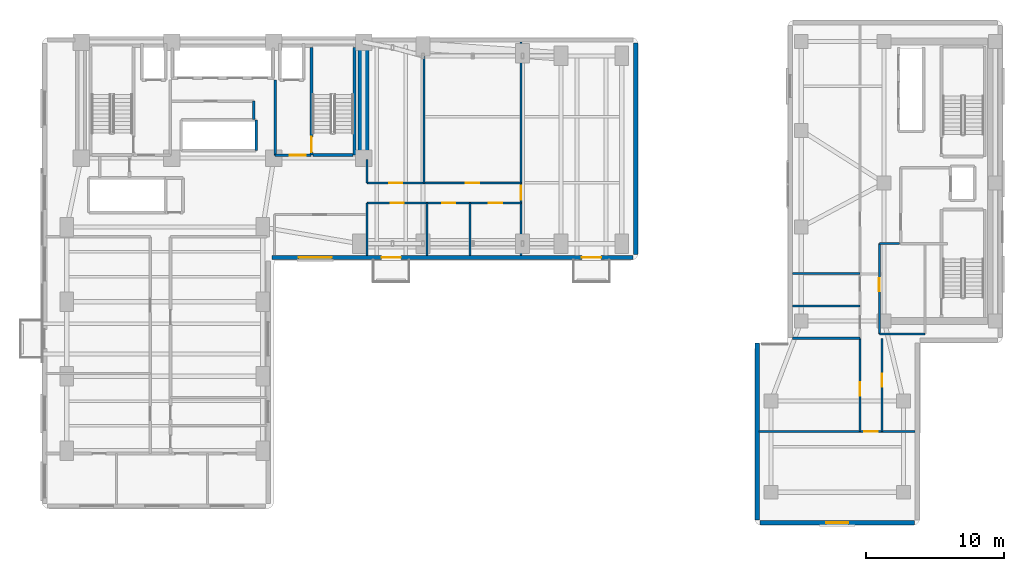
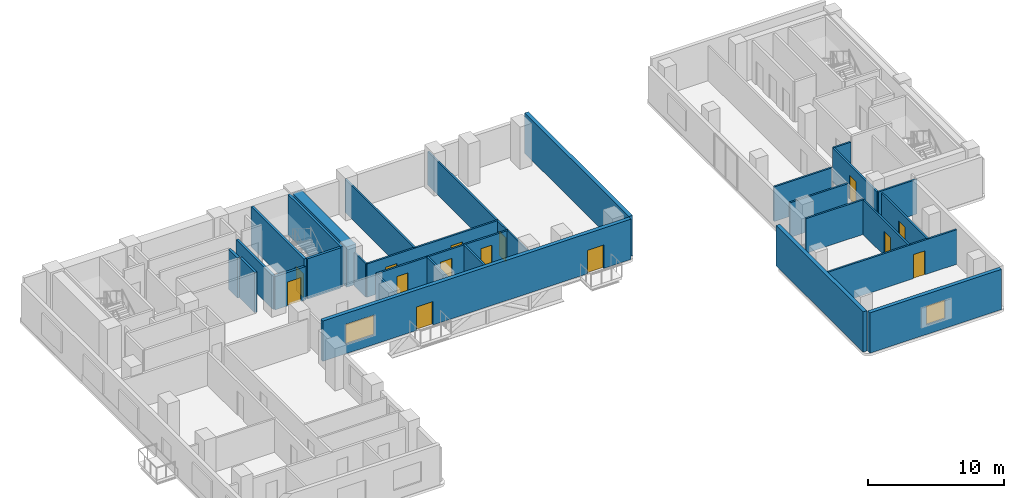
# One storey, part 9 of 15: 29 walls, 14 doors, 2 windows, 16 openings.
"""IFC4 building model written with IfcOpenShell, lengths in metres."""

from ifc_helpers import new_model, si_unit, direction, frame, frame_2d, origin, place, context, subcontext, project, spatial, rectangle, extrude, material, layer, layer_set, type_object, element, fill, save


model = new_model("IFC4")

# Units and contexts
model_context = context("Model", 3, precision=1e-05, world=origin(), true_north=direction((0.0, 1.0)))
body_context = subcontext(model_context, "Body", "Model", "MODEL_VIEW")
ifc_project = project(units=[si_unit("LENGTHUNIT", "METRE"), si_unit("AREAUNIT", "SQUARE_METRE"), si_unit("VOLUMEUNIT", "CUBIC_METRE"), si_unit("PLANEANGLEUNIT", "RADIAN"), si_unit("MASSUNIT", "GRAM", prefix="KILO")], contexts=[model_context])

# Site, building, storey
site_placement = place(None, origin())
site = spatial("IfcSite", under=ifc_project, at=site_placement, CompositionType="ELEMENT")
building_placement = place(site_placement, origin())
building = spatial("IfcBuilding", under=site, at=building_placement, Name="Kuzgunbayir Cultural Tower", CompositionType="ELEMENT")
storey_placement = place(building_placement, frame((0.0, 0.0, 39.800048828125)))
storey = spatial("IfcBuildingStorey", under=building, at=storey_placement, Name="L10", CompositionType="ELEMENT", Elevation=39.800048828125)

# Wall
ifc_material_1 = material(Name="Concrete C60/75", Category="concrete")
ifc_layer_1 = layer(ifc_material_1, 0.800048828125)
ifc_layer_set_1 = layer_set([ifc_layer_1], Name="Concrete C60/75")
wall_type_1 = type_object("IfcWallType", Name="WAL-CORE-800", PredefinedType="SHEAR", material=ifc_layer_set_1)
wall_1_placement = place(storey_placement, frame((26.89990234375, 33.800048828125, 0.0), z_axis=(0.0, 0.0, 1.0), x_axis=(0.0, 1.0, 0.0)))
element("IfcWall", 1, at=wall_1_placement, inside=storey, type_object=wall_type_1, Name="L10 T1 Core East Shear Wall", PredefinedType="SHEAR", context=body_context, shape_type="SweptSolid", body=[
    extrude(rectangle(XDim=7.949951171875, YDim=0.800048828125, at=frame_2d((3.97509765625, 0.0))), origin(), (0.0, 0.0, 1.0), 3.619873046875),
])

# Wall, openings, doors, window
ifc_material_2 = material(Name="Travertine Buff Ashlar", Category="masonry")
ifc_layer_2 = layer(ifc_material_2, 0.320068359375)
ifc_layer_set_2 = layer_set([ifc_layer_2], Name="Travertine Buff Ashlar")
wall_type_2 = type_object("IfcWallType", Name="WAL-EXT-STONE-320", PredefinedType="STANDARD", material=ifc_layer_set_2)
wall_2_placement = place(storey_placement, frame((20.25, 26.60009765625, 0.0), z_axis=(0.0, 0.0, 1.0), x_axis=(1.0, 0.0, 0.0)))
wall_2 = element("IfcWall", 2, at=wall_2_placement, inside=storey, type_object=wall_type_2, Name="L10 Wing B South Limestone Wall", PredefinedType="STANDARD", context=body_context, shape_type="SweptSolid", body=[
    extrude(rectangle(XDim=26.14990234375, YDim=0.320068359375, at=frame_2d((13.074951171875, 0.0))), origin(), (0.0, 0.0, 1.0), 3.619873046875),
])
opening_1_placement = place(wall_2_placement, frame((7.949951171875, 0.0, 0.0)))
opening_1 = element("IfcOpeningElement", 3, at=opening_1_placement, cuts=wall_2, Name="Opening BD-15", PredefinedType="OPENING", context=body_context, shape_type="SweptSolid", body=[
    extrude(rectangle(XDim=1.39990234375, YDim=2.10009765625, at=frame_2d((0.699951171875, 1.050048828125))), frame((0.0, 0.169921875, 0.0), z_axis=(0.0, -1.0, 0.0), x_axis=(1.0, 0.0, 0.0)), (0.0, 0.0, 1.0), 0.340087890625),
])
opening_2_placement = place(wall_2_placement, frame((22.449951171875, 0.0, 0.0)))
opening_2 = element("IfcOpeningElement", 4, at=opening_2_placement, cuts=wall_2, Name="Opening BD-15", PredefinedType="OPENING", context=body_context, shape_type="SweptSolid", body=[
    extrude(rectangle(XDim=1.39990234375, YDim=2.10009765625, at=frame_2d((0.699951171875, 1.050048828125))), frame((0.0, 0.169921875, 0.0), z_axis=(0.0, -1.0, 0.0), x_axis=(1.0, 0.0, 0.0)), (0.0, 0.0, 1.0), 0.340087890625),
])
opening_3_placement = place(wall_2_placement, frame((1.949951171875, 0.0, 0.85009765625)))
opening_3 = element("IfcOpeningElement", 5, at=opening_3_placement, cuts=wall_2, Name="Opening WO-24", PredefinedType="OPENING", context=body_context, shape_type="SweptSolid", body=[
    extrude(rectangle(XDim=2.39990234375, YDim=1.800048828125, at=frame_2d((1.199951171875, 0.89990234375))), frame((0.0, 0.169921875, 0.0), z_axis=(0.0, -1.0, 0.0), x_axis=(1.0, 0.0, 0.0)), (0.0, 0.0, 1.0), 0.340087890625),
])
ifc_material_3 = material(Name="Thermally Broken Glazed Aluminium", Category="aluminium")
door_type_1 = type_object("IfcDoorType", Name="DR-BALCONY-150", OperationType="SLIDING_TO_RIGHT", PredefinedType="DOOR", material=ifc_material_3)
door_1_placement = place(opening_1_placement, origin())
door_1 = element("IfcDoor", 6, at=door_1_placement, inside=storey, type_object=door_type_1, Name="L10 South Balcony Sliding Door BAL-L10-WB1", OperationType="SLIDING_TO_RIGHT", OverallHeight=2.10009765625, OverallWidth=1.39990234375, PredefinedType="DOOR", context=body_context, shape_type="SweptSolid", body=[
    extrude(rectangle(XDim=1.39990234375, YDim=2.10009765625, at=frame_2d((0.699951171875, 1.050048828125))), frame((0.0, 0.02490234375, 0.0), z_axis=(0.0, -1.0, 0.0), x_axis=(1.0, 0.0, 0.0)), (0.0, 0.0, 1.0), 0.050048828125),
])
fill(opening_1, door_1)
door_2_placement = place(opening_2_placement, origin())
door_2 = element("IfcDoor", 7, at=door_2_placement, inside=storey, type_object=door_type_1, Name="L10 South Balcony Sliding Door BAL-L10-WB3", OperationType="SLIDING_TO_RIGHT", OverallHeight=2.10009765625, OverallWidth=1.39990234375, PredefinedType="DOOR", context=body_context, shape_type="SweptSolid", body=[
    extrude(rectangle(XDim=1.39990234375, YDim=2.10009765625, at=frame_2d((0.699951171875, 1.050048828125))), frame((0.0, 0.02490234375, 0.0), z_axis=(0.0, -1.0, 0.0), x_axis=(1.0, 0.0, 0.0)), (0.0, 0.0, 1.0), 0.050048828125),
])
fill(opening_2, door_2)
ifc_material_4 = material(Name="Solar-Control Triple Glazing", Category="glass")
window_type_1 = type_object("IfcWindowType", Name="WIN-OFFICE-24", PartitioningType="SINGLE_PANEL", PredefinedType="WINDOW", material=ifc_material_4)
window_1_placement = place(opening_3_placement, origin())
window_1 = element("IfcWindow", 8, at=window_1_placement, inside=storey, type_object=window_type_1, Name="L10 WBS Facade Window 11", OverallHeight=1.800048828125, OverallWidth=2.39990234375, PartitioningType="SINGLE_PANEL", PredefinedType="WINDOW", context=body_context, shape_type="SweptSolid", body=[
    extrude(rectangle(XDim=2.39990234375, YDim=1.800048828125, at=frame_2d((1.199951171875, 0.89990234375))), frame((0.0, 0.030029296875, 0.0), z_axis=(0.0, -1.0, 0.0), x_axis=(1.0, 0.0, 0.0)), (0.0, 0.0, 1.0), 0.06005859375),
])
fill(opening_3, window_1)

# Wall
wall_3_placement = place(storey_placement, frame((46.60009765625, 26.800048828125, 0.0), z_axis=(0.0, 0.0, 1.0), x_axis=(0.0, 1.0, 0.0)))
element("IfcWall", 9, at=wall_3_placement, inside=storey, type_object=wall_type_2, Name="L10 Wing B East Limestone Wall", PredefinedType="STANDARD", context=body_context, shape_type="SweptSolid", body=[
    extrude(rectangle(XDim=15.349853515625, YDim=0.320068359375, at=frame_2d((7.6748046875, 0.0))), origin(), (0.0, 0.0, 1.0), 3.619873046875),
])

# Wall, opening, window
wall_4_placement = place(storey_placement, frame((55.60009765625, 7.39990234375, 0.0), z_axis=(0.0, 0.0, 1.0), x_axis=(1.0, 0.0, 0.0)))
wall_4 = element("IfcWall", 10, at=wall_4_placement, inside=storey, type_object=wall_type_2, Name="L10 Companion Wing B South Wall", PredefinedType="STANDARD", context=body_context, shape_type="SweptSolid", body=[
    extrude(rectangle(XDim=11.199951171875, YDim=0.320068359375, at=frame_2d((5.60009765625, 0.0))), origin(), (0.0, 0.0, 1.0), 3.619873046875),
])
opening_4_placement = place(wall_4_placement, frame((4.800048828125, 0.0, 0.85009765625)))
opening_4 = element("IfcOpeningElement", 11, at=opening_4_placement, cuts=wall_4, Name="Opening WC-16", PredefinedType="OPENING", context=body_context, shape_type="SweptSolid", body=[
    extrude(rectangle(XDim=1.60009765625, YDim=1.699951171875, at=frame_2d((0.800048828125, 0.85009765625))), frame((0.0, 0.169921875, 0.0), z_axis=(0.0, -1.0, 0.0), x_axis=(1.0, 0.0, 0.0)), (0.0, 0.0, 1.0), 0.340087890625),
])
window_type_2 = type_object("IfcWindowType", Name="WIN-COMP-16", PartitioningType="SINGLE_PANEL", PredefinedType="WINDOW", material=ifc_material_4)
window_2_placement = place(opening_4_placement, origin())
window_2 = element("IfcWindow", 12, at=window_2_placement, inside=storey, type_object=window_type_2, Name="L10 Companion South Window", OverallHeight=1.699951171875, OverallWidth=1.60009765625, PartitioningType="SINGLE_PANEL", PredefinedType="WINDOW", context=body_context, shape_type="SweptSolid", body=[
    extrude(rectangle(XDim=1.60009765625, YDim=1.699951171875, at=frame_2d((0.800048828125, 0.85009765625))), frame((0.0, 0.030029296875, 0.0), z_axis=(0.0, -1.0, 0.0), x_axis=(1.0, 0.0, 0.0)), (0.0, 0.0, 1.0), 0.06005859375),
])
fill(opening_4, window_2)

# Walls
wall_5_placement = place(storey_placement, frame((55.39990234375, 20.39990234375, 0.0), z_axis=(0.0, 0.0, 1.0), x_axis=(0.0, -1.0, 0.0)))
element("IfcWall", 13, at=wall_5_placement, inside=storey, type_object=wall_type_2, Name="L10 Companion Wing B West Wall", PredefinedType="STANDARD", context=body_context, shape_type="SweptSolid", body=[
    extrude(rectangle(XDim=12.7998046875, YDim=0.320068359375, at=frame_2d((6.39990234375, 0.0))), origin(), (0.0, 0.0, 1.0), 3.619873046875),
])
ifc_material_5 = material(Name="Acoustic Double-Stud Drywall", Category="gypsum")
ifc_layer_3 = layer(ifc_material_5, 0.14990234375)
ifc_layer_set_3 = layer_set([ifc_layer_3], Name="Acoustic Double-Stud Drywall")
wall_type_3 = type_object("IfcWallType", Name="WAL-PART-ACOUSTIC-150", PredefinedType="PARTITIONING", material=ifc_layer_set_3)
wall_6_placement = place(storey_placement, frame((27.14990234375, 26.75, 0.0), z_axis=(0.0, 0.0, 1.0), x_axis=(0.0, 1.0, 0.0)))
element("IfcWall", 14, at=wall_6_placement, inside=storey, type_object=wall_type_3, Name="L10 Waist Alcove East Wall", PredefinedType="PARTITIONING", context=body_context, shape_type="SweptSolid", body=[
    extrude(rectangle(XDim=3.800048828125, YDim=0.14990234375, at=frame_2d((1.89990234375, 0.0))), origin(), (0.0, 0.0, 1.0), 3.0),
])

# Wall, openings, doors
wall_7_placement = place(storey_placement, frame((27.14990234375, 30.550048828125, 0.0), z_axis=(0.0, 0.0, 1.0), x_axis=(1.0, 0.0, 0.0)))
wall_7 = element("IfcWall", 15, at=wall_7_placement, inside=storey, type_object=wall_type_3, Name="L10 Wing B Corridor South Wall", PredefinedType="PARTITIONING", context=body_context, shape_type="SweptSolid", body=[
    extrude(rectangle(XDim=11.150146484375, YDim=0.14990234375, at=frame_2d((5.5751953125, 0.0))), origin(), (0.0, 0.0, 1.0), 3.0),
])
opening_5_placement = place(wall_7_placement, frame((1.699951171875, 0.0, 0.0)))
opening_5 = element("IfcOpeningElement", 16, at=opening_5_placement, cuts=wall_7, Name="Opening DI-90", PredefinedType="OPENING", context=body_context, shape_type="SweptSolid", body=[
    extrude(rectangle(XDim=0.949951171875, YDim=2.14990234375, at=frame_2d((0.47509765625, 1.074951171875))), frame((0.0, 0.0849609375, 0.0), z_axis=(0.0, -1.0, 0.0), x_axis=(1.0, 0.0, 0.0)), (0.0, 0.0, 1.0), 0.169921875),
])
opening_6_placement = place(wall_7_placement, frame((5.429931640625, 0.0, 0.0)))
opening_6 = element("IfcOpeningElement", 17, at=opening_6_placement, cuts=wall_7, Name="Opening DI-90", PredefinedType="OPENING", context=body_context, shape_type="SweptSolid", body=[
    extrude(rectangle(XDim=0.949951171875, YDim=2.14990234375, at=frame_2d((0.47509765625, 1.074951171875))), frame((0.0, 0.0849609375, 0.0), z_axis=(0.0, -1.0, 0.0), x_axis=(1.0, 0.0, 0.0)), (0.0, 0.0, 1.0), 0.169921875),
])
opening_7_placement = place(wall_7_placement, frame((8.830078125, 0.0, 0.0)))
opening_7 = element("IfcOpeningElement", 18, at=opening_7_placement, cuts=wall_7, Name="Opening DI-90", PredefinedType="OPENING", context=body_context, shape_type="SweptSolid", body=[
    extrude(rectangle(XDim=0.949951171875, YDim=2.14990234375, at=frame_2d((0.47509765625, 1.074951171875))), frame((0.0, 0.0849609375, 0.0), z_axis=(0.0, -1.0, 0.0), x_axis=(1.0, 0.0, 0.0)), (0.0, 0.0, 1.0), 0.169921875),
])
ifc_material_6 = material(Name="Veneered Oak Single Leaf", Category="wood")
door_type_2 = type_object("IfcDoorType", Name="DR-INT-90", OperationType="NOTDEFINED", PredefinedType="DOOR", material=ifc_material_6)
door_3_placement = place(opening_5_placement, origin())
door_3 = element("IfcDoor", 19, at=door_3_placement, inside=storey, type_object=door_type_2, Name="L10 Wing B Culinary Tasting Pantry 1 Door", OperationType="SINGLE_SWING_LEFT", OverallHeight=2.14990234375, OverallWidth=0.949951171875, PredefinedType="DOOR", context=body_context, shape_type="SweptSolid", body=[
    extrude(rectangle(XDim=0.949951171875, YDim=2.14990234375, at=frame_2d((0.47509765625, 1.074951171875))), frame((0.0, 0.02490234375, 0.0), z_axis=(0.0, -1.0, 0.0), x_axis=(1.0, 0.0, 0.0)), (0.0, 0.0, 1.0), 0.050048828125),
])
fill(opening_5, door_3)
door_4_placement = place(opening_6_placement, origin())
door_4 = element("IfcDoor", 20, at=door_4_placement, inside=storey, type_object=door_type_2, Name="L10 Wing B Art Publication Salon 2 Door", OperationType="SINGLE_SWING_RIGHT", OverallHeight=2.14990234375, OverallWidth=0.949951171875, PredefinedType="DOOR", context=body_context, shape_type="SweptSolid", body=[
    extrude(rectangle(XDim=0.949951171875, YDim=2.14990234375, at=frame_2d((0.47509765625, 1.074951171875))), frame((0.0, 0.02490234375, 0.0), z_axis=(0.0, -1.0, 0.0), x_axis=(1.0, 0.0, 0.0)), (0.0, 0.0, 1.0), 0.050048828125),
])
fill(opening_6, door_4)
door_5_placement = place(opening_7_placement, origin())
door_5 = element("IfcDoor", 21, at=door_5_placement, inside=storey, type_object=door_type_2, Name="L10 Wing B Culinary Tasting Pantry 3 Door", OperationType="SINGLE_SWING_LEFT", OverallHeight=2.14990234375, OverallWidth=0.949951171875, PredefinedType="DOOR", context=body_context, shape_type="SweptSolid", body=[
    extrude(rectangle(XDim=0.949951171875, YDim=2.14990234375, at=frame_2d((0.47509765625, 1.074951171875))), frame((0.0, 0.02490234375, 0.0), z_axis=(0.0, -1.0, 0.0), x_axis=(1.0, 0.0, 0.0)), (0.0, 0.0, 1.0), 0.050048828125),
])
fill(opening_7, door_5)

wall_8_placement = place(storey_placement, frame((27.14990234375, 32.0, 0.0), z_axis=(0.0, 0.0, 1.0), x_axis=(1.0, 0.0, 0.0)))
wall_8 = element("IfcWall", 22, at=wall_8_placement, inside=storey, type_object=wall_type_3, Name="L10 Wing B Corridor North Wall", PredefinedType="PARTITIONING", context=body_context, shape_type="SweptSolid", body=[
    extrude(rectangle(XDim=11.150146484375, YDim=0.14990234375, at=frame_2d((5.5751953125, 0.0))), origin(), (0.0, 0.0, 1.0), 3.0),
])
opening_8_placement = place(wall_8_placement, frame((1.590087890625, 0.0, 0.0)))
opening_8 = element("IfcOpeningElement", 23, at=opening_8_placement, cuts=wall_8, Name="Opening DI-90", PredefinedType="OPENING", context=body_context, shape_type="SweptSolid", body=[
    extrude(rectangle(XDim=0.949951171875, YDim=2.14990234375, at=frame_2d((0.47509765625, 1.074951171875))), frame((0.0, 0.0849609375, 0.0), z_axis=(0.0, -1.0, 0.0), x_axis=(1.0, 0.0, 0.0)), (0.0, 0.0, 1.0), 0.169921875),
])
opening_9_placement = place(wall_8_placement, frame((7.159912109375, 0.0, 0.0)))
opening_9 = element("IfcOpeningElement", 24, at=opening_9_placement, cuts=wall_8, Name="Opening DI-90", PredefinedType="OPENING", context=body_context, shape_type="SweptSolid", body=[
    extrude(rectangle(XDim=0.949951171875, YDim=2.14990234375, at=frame_2d((0.47509765625, 1.074951171875))), frame((0.0, 0.0849609375, 0.0), z_axis=(0.0, -1.0, 0.0), x_axis=(1.0, 0.0, 0.0)), (0.0, 0.0, 1.0), 0.169921875),
])
door_6_placement = place(opening_8_placement, origin())
door_6 = element("IfcDoor", 25, at=door_6_placement, inside=storey, type_object=door_type_2, Name="L10 Wing B North Culinary Tasting Pantry 1 Door", OperationType="SINGLE_SWING_RIGHT", OverallHeight=2.14990234375, OverallWidth=0.949951171875, PredefinedType="DOOR", context=body_context, shape_type="SweptSolid", body=[
    extrude(rectangle(XDim=0.949951171875, YDim=2.14990234375, at=frame_2d((0.47509765625, 1.074951171875))), frame((0.0, 0.02490234375, 0.0), z_axis=(0.0, -1.0, 0.0), x_axis=(1.0, 0.0, 0.0)), (0.0, 0.0, 1.0), 0.050048828125),
])
fill(opening_8, door_6)
door_7_placement = place(opening_9_placement, origin())
door_7 = element("IfcDoor", 26, at=door_7_placement, inside=storey, type_object=door_type_2, Name="L10 Wing B North Fellows Reading Lounge 2 Door", OperationType="SINGLE_SWING_LEFT", OverallHeight=2.14990234375, OverallWidth=0.949951171875, PredefinedType="DOOR", context=body_context, shape_type="SweptSolid", body=[
    extrude(rectangle(XDim=0.949951171875, YDim=2.14990234375, at=frame_2d((0.47509765625, 1.074951171875))), frame((0.0, 0.02490234375, 0.0), z_axis=(0.0, -1.0, 0.0), x_axis=(1.0, 0.0, 0.0)), (0.0, 0.0, 1.0), 0.050048828125),
])
fill(opening_9, door_7)

# Wall
wall_9_placement = place(storey_placement, frame((27.14990234375, 32.0, 0.0), z_axis=(0.0, 0.0, 1.0), x_axis=(0.0, 1.0, 0.0)))
element("IfcWall", 27, at=wall_9_placement, inside=storey, type_object=wall_type_3, Name="L10 Wing B North Core Closure Wall", PredefinedType="PARTITIONING", context=body_context, shape_type="SweptSolid", body=[
    extrude(rectangle(XDim=1.679931640625, YDim=0.14990234375, at=frame_2d((0.83984375, 0.0))), origin(), (0.0, 0.0, 1.0), 3.0),
])

# Wall, opening, door
wall_10_placement = place(storey_placement, frame((38.300048828125, 26.75, 0.0), z_axis=(0.0, 0.0, 1.0), x_axis=(0.0, 1.0, 0.0)))
wall_10 = element("IfcWall", 28, at=wall_10_placement, inside=storey, type_object=wall_type_3, Name="L10 Wing B East Suite Wall", PredefinedType="PARTITIONING", context=body_context, shape_type="SweptSolid", body=[
    extrude(rectangle(XDim=15.449951171875, YDim=0.14990234375, at=frame_2d((7.72509765625, 0.0))), origin(), (0.0, 0.0, 1.0), 3.0),
])
opening_10_placement = place(wall_10_placement, frame((4.030029296875, 0.0, 0.0)))
opening_10 = element("IfcOpeningElement", 29, at=opening_10_placement, cuts=wall_10, Name="Opening DI-100", PredefinedType="OPENING", context=body_context, shape_type="SweptSolid", body=[
    extrude(rectangle(XDim=1.0, YDim=2.14990234375, at=frame_2d((0.5, 1.074951171875))), frame((0.0, 0.0849609375, 0.0), z_axis=(0.0, -1.0, 0.0), x_axis=(1.0, 0.0, 0.0)), (0.0, 0.0, 1.0), 0.169921875),
])
door_type_3 = type_object("IfcDoorType", Name="DR-INT-100", OperationType="NOTDEFINED", PredefinedType="DOOR", material=ifc_material_6)
door_8_placement = place(opening_10_placement, origin())
door_8 = element("IfcDoor", 30, at=door_8_placement, inside=storey, type_object=door_type_3, Name="L10 East Conference Hall Door", OperationType="SINGLE_SWING_RIGHT", OverallHeight=2.14990234375, OverallWidth=1.0, PredefinedType="DOOR", context=body_context, shape_type="SweptSolid", body=[
    extrude(rectangle(XDim=1.0, YDim=2.14990234375, at=frame_2d((0.5, 1.074951171875))), frame((0.0, 0.02490234375, 0.0), z_axis=(0.0, -1.0, 0.0), x_axis=(1.0, 0.0, 0.0)), (0.0, 0.0, 1.0), 0.050048828125),
])
fill(opening_10, door_8)

# Walls
for number, where, z_axis, x_axis, name in (
    (31, (31.5, 26.75, 0.0), (0.0, 0.0, 1.0), (0.0, 1.0, 0.0), "L10 Wing B South Partition 1"),
    (32, (34.6201171875, 26.75, 0.0), (0.0, 0.0, 1.0), (0.0, 1.0, 0.0), "L10 Wing B South Partition 2"),
):
    element("IfcWall", number, at=place(storey_placement, frame(where, z_axis=z_axis, x_axis=x_axis)), inside=storey, type_object=wall_type_3, Name=name, PredefinedType="PARTITIONING", context=body_context, shape_type="SweptSolid", body=[
        extrude(rectangle(XDim=3.800048828125, YDim=0.14990234375, at=frame_2d((1.89990234375, 0.0))), origin(), (0.0, 0.0, 1.0), 3.0),
    ])
wall_11_placement = place(storey_placement, frame((31.280029296875, 32.0, 0.0), z_axis=(0.0, 0.0, 1.0), x_axis=(0.0, 1.0, 0.0)))
element("IfcWall", 33, at=wall_11_placement, inside=storey, type_object=wall_type_3, Name="L10 Wing B North Partition 1", PredefinedType="PARTITIONING", context=body_context, shape_type="SweptSolid", body=[
    extrude(rectangle(XDim=10.199951171875, YDim=0.14990234375, at=frame_2d((5.10009765625, 0.0))), origin(), (0.0, 0.0, 1.0), 3.0),
])

# Wall, opening, door
wall_12_placement = place(storey_placement, frame((64.25, 21.050048828125, 0.0), z_axis=(0.0, 0.0, 1.0), x_axis=(0.0, 1.0, 0.0)))
wall_12 = element("IfcWall", 34, at=wall_12_placement, inside=storey, type_object=wall_type_3, Name="L10 Companion Archive West Wall", PredefinedType="PARTITIONING", context=body_context, shape_type="SweptSolid", body=[
    extrude(rectangle(XDim=6.550048828125, YDim=0.14990234375, at=frame_2d((3.27490234375, 0.0))), origin(), (0.0, 0.0, 1.0), 3.10986328125),
])
opening_11_placement = place(wall_12_placement, frame((3.10009765625, 0.0, 0.0)))
opening_11 = element("IfcOpeningElement", 35, at=opening_11_placement, cuts=wall_12, Name="Opening DI-90", PredefinedType="OPENING", context=body_context, shape_type="SweptSolid", body=[
    extrude(rectangle(XDim=0.949951171875, YDim=2.14990234375, at=frame_2d((0.47509765625, 1.074951171875))), frame((0.0, 0.0849609375, 0.0), z_axis=(0.0, -1.0, 0.0), x_axis=(1.0, 0.0, 0.0)), (0.0, 0.0, 1.0), 0.169921875),
])
door_9_placement = place(opening_11_placement, origin())
door_9 = element("IfcDoor", 36, at=door_9_placement, inside=storey, type_object=door_type_2, Name="L10 Companion Archive Door", OperationType="SINGLE_SWING_RIGHT", OverallHeight=2.14990234375, OverallWidth=0.949951171875, PredefinedType="DOOR", context=body_context, shape_type="SweptSolid", body=[
    extrude(rectangle(XDim=0.949951171875, YDim=2.14990234375, at=frame_2d((0.47509765625, 1.074951171875))), frame((0.0, 0.02490234375, 0.0), z_axis=(0.0, -1.0, 0.0), x_axis=(1.0, 0.0, 0.0)), (0.0, 0.0, 1.0), 0.050048828125),
])
fill(opening_11, door_9)

# Walls
wall_13_placement = place(storey_placement, frame((64.25, 21.050048828125, 0.0), z_axis=(0.0, 0.0, 1.0), x_axis=(1.0, 0.0, 0.0)))
element("IfcWall", 37, at=wall_13_placement, inside=storey, type_object=wall_type_3, Name="L10 Companion Archive South Wall", PredefinedType="PARTITIONING", context=body_context, shape_type="SweptSolid", body=[
    extrude(rectangle(XDim=3.300048828125, YDim=0.14990234375, at=frame_2d((1.64990234375, 0.0))), origin(), (0.0, 0.0, 1.0), 3.10986328125),
])
wall_14_placement = place(storey_placement, frame((64.25, 27.60009765625, 0.0), z_axis=(0.0, 0.0, 1.0), x_axis=(1.0, 0.0, 0.0)))
element("IfcWall", 38, at=wall_14_placement, inside=storey, type_object=wall_type_3, Name="L10 Companion Archive North Wall", PredefinedType="PARTITIONING", context=body_context, shape_type="SweptSolid", body=[
    extrude(rectangle(XDim=1.469970703125, YDim=0.14990234375, at=frame_2d((0.73486328125, 0.0))), origin(), (0.0, 0.0, 1.0), 3.10986328125),
])

# Wall, opening, door
wall_15_placement = place(storey_placement, frame((62.85009765625, 14.0, 0.0), z_axis=(0.0, 0.0, 1.0), x_axis=(0.0, 1.0, 0.0)))
wall_15 = element("IfcWall", 39, at=wall_15_placement, inside=storey, type_object=wall_type_3, Name="L10 Companion South Corridor West Wall", PredefinedType="PARTITIONING", context=body_context, shape_type="SweptSolid", body=[
    extrude(rectangle(XDim=6.75, YDim=0.14990234375, at=frame_2d((3.375, 0.0))), origin(), (0.0, 0.0, 1.0), 3.10986328125),
])
opening_12_placement = place(wall_15_placement, frame((2.60009765625, 0.0, 0.0)))
opening_12 = element("IfcOpeningElement", 40, at=opening_12_placement, cuts=wall_15, Name="Opening DI-90", PredefinedType="OPENING", context=body_context, shape_type="SweptSolid", body=[
    extrude(rectangle(XDim=0.949951171875, YDim=2.14990234375, at=frame_2d((0.47509765625, 1.074951171875))), frame((0.0, 0.0849609375, 0.0), z_axis=(0.0, -1.0, 0.0), x_axis=(1.0, 0.0, 0.0)), (0.0, 0.0, 1.0), 0.169921875),
])
door_10_placement = place(opening_12_placement, origin())
door_10 = element("IfcDoor", 41, at=door_10_placement, inside=storey, type_object=door_type_2, Name="L10 Companion West Atelier Door", OperationType="SINGLE_SWING_RIGHT", OverallHeight=2.14990234375, OverallWidth=0.949951171875, PredefinedType="DOOR", context=body_context, shape_type="SweptSolid", body=[
    extrude(rectangle(XDim=0.949951171875, YDim=2.14990234375, at=frame_2d((0.47509765625, 1.074951171875))), frame((0.0, 0.02490234375, 0.0), z_axis=(0.0, -1.0, 0.0), x_axis=(1.0, 0.0, 0.0)), (0.0, 0.0, 1.0), 0.050048828125),
])
fill(opening_12, door_10)

wall_16_placement = place(storey_placement, frame((55.550048828125, 14.0, 0.0), z_axis=(0.0, 0.0, 1.0), x_axis=(1.0, 0.0, 0.0)))
wall_16 = element("IfcWall", 42, at=wall_16_placement, inside=storey, type_object=wall_type_3, Name="L10 Companion South Gallery Wall", PredefinedType="PARTITIONING", context=body_context, shape_type="SweptSolid", body=[
    extrude(rectangle(XDim=11.300048828125, YDim=0.14990234375, at=frame_2d((5.64990234375, 0.0))), origin(), (0.0, 0.0, 1.0), 3.10986328125),
])
opening_13_placement = place(wall_16_placement, frame((7.60009765625, 0.0, 0.0)))
opening_13 = element("IfcOpeningElement", 43, at=opening_13_placement, cuts=wall_16, Name="Opening DI-100", PredefinedType="OPENING", context=body_context, shape_type="SweptSolid", body=[
    extrude(rectangle(XDim=1.0, YDim=2.14990234375, at=frame_2d((0.5, 1.074951171875))), frame((0.0, 0.0849609375, 0.0), z_axis=(0.0, -1.0, 0.0), x_axis=(1.0, 0.0, 0.0)), (0.0, 0.0, 1.0), 0.169921875),
])
door_11_placement = place(opening_13_placement, origin())
door_11 = element("IfcDoor", 44, at=door_11_placement, inside=storey, type_object=door_type_3, Name="L10 Companion South Salon Door", OperationType="SINGLE_SWING_RIGHT", OverallHeight=2.14990234375, OverallWidth=1.0, PredefinedType="DOOR", context=body_context, shape_type="SweptSolid", body=[
    extrude(rectangle(XDim=1.0, YDim=2.14990234375, at=frame_2d((0.5, 1.074951171875))), frame((0.0, 0.02490234375, 0.0), z_axis=(0.0, -1.0, 0.0), x_axis=(1.0, 0.0, 0.0)), (0.0, 0.0, 1.0), 0.050048828125),
])
fill(opening_13, door_11)

wall_17_placement = place(storey_placement, frame((64.449951171875, 14.0, 0.0), z_axis=(0.0, 0.0, 1.0), x_axis=(0.0, 1.0, 0.0)))
wall_17 = element("IfcWall", 45, at=wall_17_placement, inside=storey, type_object=wall_type_3, Name="L10 Companion South Corridor East Wall", PredefinedType="PARTITIONING", context=body_context, shape_type="SweptSolid", body=[
    extrude(rectangle(XDim=6.75, YDim=0.14990234375, at=frame_2d((3.375, 0.0))), origin(), (0.0, 0.0, 1.0), 3.10986328125),
])
opening_14_placement = place(wall_17_placement, frame((3.239990234375, 0.0, 0.0)))
opening_14 = element("IfcOpeningElement", 46, at=opening_14_placement, cuts=wall_17, Name="Opening DI-90", PredefinedType="OPENING", context=body_context, shape_type="SweptSolid", body=[
    extrude(rectangle(XDim=0.949951171875, YDim=2.14990234375, at=frame_2d((0.47509765625, 1.074951171875))), frame((0.0, 0.0849609375, 0.0), z_axis=(0.0, -1.0, 0.0), x_axis=(1.0, 0.0, 0.0)), (0.0, 0.0, 1.0), 0.169921875),
])
door_12_placement = place(opening_14_placement, origin())
door_12 = element("IfcDoor", 47, at=door_12_placement, inside=storey, type_object=door_type_2, Name="L10 Companion East Studio Door", OperationType="SINGLE_SWING_LEFT", OverallHeight=2.14990234375, OverallWidth=0.949951171875, PredefinedType="DOOR", context=body_context, shape_type="SweptSolid", body=[
    extrude(rectangle(XDim=0.949951171875, YDim=2.14990234375, at=frame_2d((0.47509765625, 1.074951171875))), frame((0.0, 0.02490234375, 0.0), z_axis=(0.0, -1.0, 0.0), x_axis=(1.0, 0.0, 0.0)), (0.0, 0.0, 1.0), 0.050048828125),
])
fill(opening_14, door_12)

# Wall
ifc_material_7 = material(Name="Aerated Concrete Blockwork", Category="masonry")
ifc_layer_4 = layer(ifc_material_7, 0.199951171875)
ifc_layer_set_4 = layer_set([ifc_layer_4], Name="Aerated Concrete Blockwork")
wall_type_4 = type_object("IfcWallType", Name="WAL-PART-FIRE-200", PredefinedType="PARTITIONING", material=ifc_layer_set_4)
wall_18_placement = place(storey_placement, frame((20.5, 34.0, 0.0), z_axis=(0.0, 0.0, 1.0), x_axis=(0.0, 1.0, 0.0)))
element("IfcWall", 48, at=wall_18_placement, inside=storey, type_object=wall_type_4, Name="L10 FFL-2 Lobby West Fire Wall", PredefinedType="PARTITIONING", context=body_context, shape_type="SweptSolid", body=[
    extrude(rectangle(XDim=5.449951171875, YDim=0.199951171875, at=frame_2d((2.72509765625, 0.0))), origin(), (0.0, 0.0, 1.0), 3.0),
])

# Wall, opening, door
wall_19_placement = place(storey_placement, frame((20.5, 34.0, 0.0), z_axis=(0.0, 0.0, 1.0), x_axis=(1.0, 0.0, 0.0)))
wall_19 = element("IfcWall", 49, at=wall_19_placement, inside=storey, type_object=wall_type_4, Name="L10 FFL-2 Lobby South Fire Wall", PredefinedType="PARTITIONING", context=body_context, shape_type="SweptSolid", body=[
    extrude(rectangle(XDim=2.60009765625, YDim=0.199951171875, at=frame_2d((1.300048828125, 0.0))), origin(), (0.0, 0.0, 1.0), 3.0),
])
opening_15_placement = place(wall_19_placement, frame((1.050048828125, 0.0, 0.0)))
opening_15 = element("IfcOpeningElement", 50, at=opening_15_placement, cuts=wall_19, Name="Opening DR-FFL-90", PredefinedType="OPENING", context=body_context, shape_type="SweptSolid", body=[
    extrude(rectangle(XDim=1.14990234375, YDim=2.14990234375, at=frame_2d((0.574951171875, 1.074951171875))), frame((0.0, 0.10986328125, 0.0), z_axis=(0.0, -1.0, 0.0), x_axis=(1.0, 0.0, 0.0)), (0.0, 0.0, 1.0), 0.219970703125),
])
ifc_material_8 = material(Name="Steel S355J2", Category="steel")
door_type_4 = type_object("IfcDoorType", Name="DR-FFL-90", OperationType="NOTDEFINED", PredefinedType="DOOR", material=ifc_material_8)
door_13_placement = place(opening_15_placement, origin())
door_13 = element("IfcDoor", 51, at=door_13_placement, inside=storey, type_object=door_type_4, Name="L10 Firefighting Lobby 2 Door", OperationType="SINGLE_SWING_RIGHT", OverallHeight=2.14990234375, OverallWidth=1.14990234375, PredefinedType="DOOR", context=body_context, shape_type="SweptSolid", body=[
    extrude(rectangle(XDim=1.14990234375, YDim=2.14990234375, at=frame_2d((0.574951171875, 1.074951171875))), frame((0.0, 0.02490234375, 0.0), z_axis=(0.0, -1.0, 0.0), x_axis=(1.0, 0.0, 0.0)), (0.0, 0.0, 1.0), 0.050048828125),
])
fill(opening_15, door_13)

# Walls
wall_20_placement = place(storey_placement, frame((18.949951171875, 36.60009765625, 0.0), z_axis=(0.0, 0.0, 1.0), x_axis=(0.0, 1.0, 0.0)))
element("IfcWall", 52, at=wall_20_placement, inside=storey, type_object=wall_type_4, Name="L10 Core Comms East Wall", PredefinedType="PARTITIONING", context=body_context, shape_type="SweptSolid", body=[
    extrude(rectangle(XDim=1.31982421875, YDim=0.199951171875, at=frame_2d((0.659912109375, 0.0))), origin(), (0.0, 0.0, 1.0), 3.619873046875),
])
ifc_material_9 = material(Name="Moisture-Resistant Tile Partition", Category="gypsum")
ifc_layer_5 = layer(ifc_material_9, 0.14990234375)
ifc_layer_set_5 = layer_set([ifc_layer_5], Name="Moisture-Resistant Tile Partition")
wall_type_5 = type_object("IfcWallType", Name="WAL-PART-WET-150", PredefinedType="PARTITIONING", material=ifc_layer_set_5)
for number, where, z_axis, x_axis, name in (
    (53, (57.949951171875, 20.75, 0.0), (0.0, 0.0, 1.0), (1.0, 0.0, 0.0), "L10 Companion WC South Wall"),
    (54, (57.949951171875, 23.10009765625, 0.0), (0.0, 0.0, 1.0), (1.0, 0.0, 0.0), "L10 Companion WC North Wall"),
    (55, (57.949951171875, 25.449951171875, 0.0), (0.0, 0.0, 1.0), (1.0, 0.0, 0.0), "L10 Companion Accessible WC Wall"),
):
    element("IfcWall", number, at=place(storey_placement, frame(where, z_axis=z_axis, x_axis=x_axis)), inside=storey, type_object=wall_type_5, Name=name, PredefinedType="PARTITIONING", context=body_context, shape_type="SweptSolid", body=[
        extrude(rectangle(XDim=4.900146484375, YDim=0.14990234375, at=frame_2d((2.4501953125, 0.0))), origin(), (0.0, 0.0, 1.0), 3.10986328125),
    ])
ifc_material_10 = material(Name="Concrete C40/50", Category="concrete")
ifc_layer_6 = layer(ifc_material_10, 0.199951171875)
ifc_layer_set_6 = layer_set([ifc_layer_6], Name="Concrete C40/50")
wall_type_6 = type_object("IfcWallType", Name="WAL-SHAFT-200", PredefinedType="MOVABLE", material=ifc_layer_set_6)
wall_21_placement = place(storey_placement, frame((19.1201171875, 34.35009765625, 0.0), z_axis=(0.0, 0.0, 1.0), x_axis=(0.0, 1.0, 0.0)))
element("IfcWall", 56, at=wall_21_placement, inside=storey, type_object=wall_type_6, Name="L10 Mid-Rise Lift Shaft East Wall", PredefinedType="MOVABLE", context=body_context, shape_type="SweptSolid", body=[
    extrude(rectangle(XDim=2.199951171875, YDim=0.199951171875, at=frame_2d((1.10009765625, 0.0))), origin(), (0.0, 0.0, 1.0), 3.619873046875),
])

# Wall, opening, door
ifc_layer_7 = layer(ifc_material_10, 0.199951171875)
ifc_layer_set_7 = layer_set([ifc_layer_7], Name="Concrete C40/50")
wall_type_7 = type_object("IfcWallType", Name="WAL-STAIR-RC-200", PredefinedType="SHEAR", material=ifc_layer_set_7)
wall_22_placement = place(storey_placement, frame((23.1201171875, 34.02001953125, 0.0), z_axis=(0.0, 0.0, 1.0), x_axis=(0.0, 1.0, 0.0)))
wall_22 = element("IfcWall", 57, at=wall_22_placement, inside=storey, type_object=wall_type_7, Name="L10 Stair ST-2 West Structural Wall", PredefinedType="SHEAR", context=body_context, shape_type="SweptSolid", body=[
    extrude(rectangle(XDim=7.780029296875, YDim=0.199951171875, at=frame_2d((3.89013671875, 0.0))), origin(), (0.0, 0.0, 1.0), 3.619873046875),
])
opening_16_placement = place(wall_22_placement, frame((0.219970703125, 0.0, 0.0)))
opening_16 = element("IfcOpeningElement", 58, at=opening_16_placement, cuts=wall_22, Name="Opening DR-STAIR-90", PredefinedType="OPENING", context=body_context, shape_type="SweptSolid", body=[
    extrude(rectangle(XDim=1.10009765625, YDim=2.14990234375, at=frame_2d((0.550048828125, 1.074951171875))), frame((0.0, 0.10986328125, 0.0), z_axis=(0.0, -1.0, 0.0), x_axis=(1.0, 0.0, 0.0)), (0.0, 0.0, 1.0), 0.219970703125),
])
door_type_5 = type_object("IfcDoorType", Name="DR-STAIR-90", OperationType="NOTDEFINED", PredefinedType="DOOR", material=ifc_material_8)
door_14_placement = place(opening_16_placement, origin())
door_14 = element("IfcDoor", 59, at=door_14_placement, inside=storey, type_object=door_type_5, Name="L10 Stair ST-2 Fire Door", OperationType="SINGLE_SWING_RIGHT", OverallHeight=2.14990234375, OverallWidth=1.10009765625, PredefinedType="DOOR", context=body_context, shape_type="SweptSolid", body=[
    extrude(rectangle(XDim=1.10009765625, YDim=2.14990234375, at=frame_2d((0.550048828125, 1.074951171875))), frame((0.0, 0.02490234375, 0.0), z_axis=(0.0, -1.0, 0.0), x_axis=(1.0, 0.0, 0.0)), (0.0, 0.0, 1.0), 0.050048828125),
])
fill(opening_16, door_14)

# Walls
wall_23_placement = place(storey_placement, frame((26.239990234375, 34.02001953125, 0.0), z_axis=(0.0, 0.0, 1.0), x_axis=(0.0, 1.0, 0.0)))
element("IfcWall", 60, at=wall_23_placement, inside=storey, type_object=wall_type_7, Name="L10 Stair ST-2 East Structural Wall", PredefinedType="SHEAR", context=body_context, shape_type="SweptSolid", body=[
    extrude(rectangle(XDim=7.780029296875, YDim=0.199951171875, at=frame_2d((3.89013671875, 0.0))), origin(), (0.0, 0.0, 1.0), 3.619873046875),
])
wall_24_placement = place(storey_placement, frame((23.239990234375, 34.02001953125, 0.0), z_axis=(0.0, 0.0, 1.0), x_axis=(1.0, 0.0, 0.0)))
element("IfcWall", 61, at=wall_24_placement, inside=storey, type_object=wall_type_7, Name="L10 Stair ST-2 South Structural Wall", PredefinedType="SHEAR", context=body_context, shape_type="SweptSolid", body=[
    extrude(rectangle(XDim=2.880126953125, YDim=0.199951171875, at=frame_2d((1.43994140625, 0.0))), origin(), (0.0, 0.0, 1.0), 3.619873046875),
])

save(model, "model.ifc")
